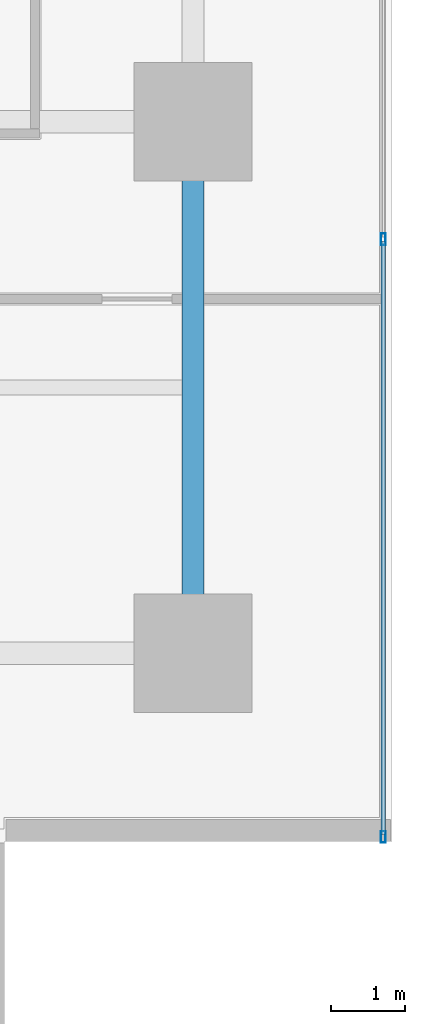
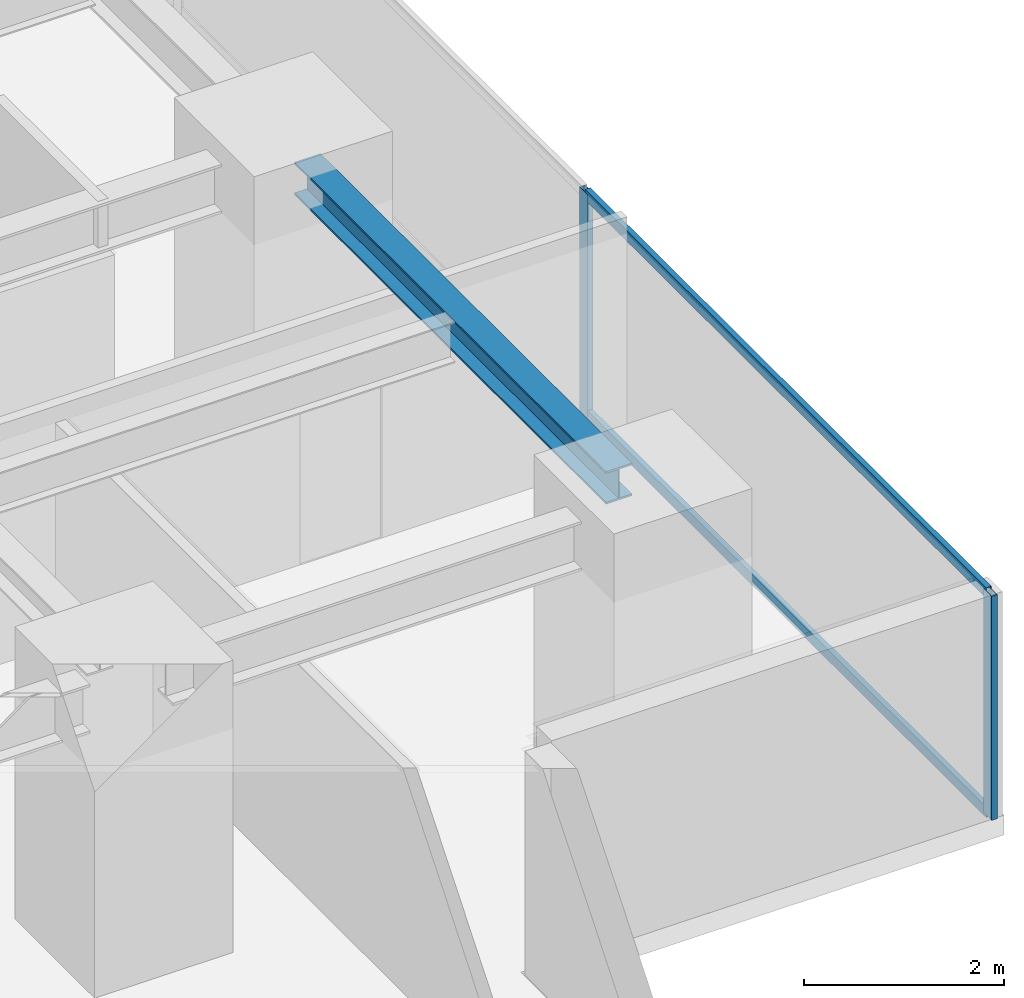
# One storey, part 14 of 37: 4 members, 1 beam, 1 element without a shape of its own.
"""IFC4 building model written with IfcOpenShell, lengths in metres."""

import ifcopenshell
import ifcopenshell.guid

model = None  # the IFC model being written
_history = None  # IfcOwnerHistory: only IFC2X3 demands one
_inside = {}  # id of a spatial element -> (the spatial element, [elements in it])
_under = {}  # id of a project, library or spatial element -> (it, [spatial elements below it])
_declared = {}  # id of a project -> (the project, [libraries it declares])
_typed = {}  # id of a type object -> (the type object, [elements of that type])
_made_of = {}  # id of a material, layer set ... -> (it, [elements and type objects made of it])


def new_model(schema):
    """Start an empty IFC model of exactly this schema.

    Asked for "IFC4X3", IfcOpenShell would pick the latest addendum, in which some entities
    have other attributes; the version numbers below select the first issue.
    IFC2X3 requires an IfcOwnerHistory on every rooted entity: one is made here for all.
    """
    global model, _history
    if schema == "IFC4X3":
        model = ifcopenshell.file(schema_version=(4, 3, 0, 0))
    else:
        model = ifcopenshell.file(schema=schema)
    _inside.clear()
    _under.clear()
    _declared.clear()
    _typed.clear()
    _made_of.clear()
    _history = None
    if model.schema == "IFC2X3":
        org = make("IfcOrganization", Name="unknown")
        user = make(
            "IfcPersonAndOrganization",
            ThePerson=make("IfcPerson", FamilyName="unknown"),
            TheOrganization=org,
        )
        app = make(
            "IfcApplication",
            ApplicationDeveloper=org,
            Version="unknown",
            ApplicationFullName="unknown",
            ApplicationIdentifier="unknown",
        )
        _history = make(
            "IfcOwnerHistory",
            OwningUser=user,
            OwningApplication=app,
            ChangeAction="ADDED",
            CreationDate=0,
        )
    return model


def make(cls, **values):
    """One entity of the class cls with the attributes given. An attribute that is None is left unset."""
    return model.create_entity(
        cls, **{name: value for name, value in values.items() if value is not None}
    )


def rooted(cls, **values):
    """An entity with a GlobalId (a new one), such as an element, a storey or a relation."""
    return make(cls, GlobalId=ifcopenshell.guid.new(), OwnerHistory=_history, **values)


def si_unit(unit_type, name, prefix=None):
    """IfcSIUnit, for example si_unit("LENGTHUNIT", "METRE", prefix="MILLI")."""
    return make("IfcSIUnit", UnitType=unit_type, Prefix=prefix, Name=name)


def assignment(units):
    """IfcUnitAssignment: the units of a project."""
    return None if units is None else make("IfcUnitAssignment", Units=units)


def point(xyz):
    """IfcCartesianPoint."""
    return None if xyz is None else make("IfcCartesianPoint", Coordinates=xyz)


def direction(xyz):
    """IfcDirection."""
    return None if xyz is None else make("IfcDirection", DirectionRatios=xyz)


def frame(location, z_axis=None, x_axis=None):
    """IfcAxis2Placement3D, a coordinate frame: its origin and axes. An axis left out is left unset."""
    return make(
        "IfcAxis2Placement3D",
        Location=point(location),
        Axis=direction(z_axis),
        RefDirection=direction(x_axis),
    )


def frame_2d(location, x_axis=None):
    """IfcAxis2Placement2D, a coordinate frame in the plane: its origin and x axis."""
    return make(
        "IfcAxis2Placement2D", Location=point(location), RefDirection=direction(x_axis)
    )


def origin():
    """The frame at (0, 0, 0) with its axes left unset."""
    return frame((0.0, 0.0, 0.0))


def origin_2d():
    """The frame at (0, 0) in the plane with its x axis left unset."""
    return frame_2d((0.0, 0.0))


def place(relative_to, where):
    """IfcLocalPlacement: puts the frame where relative to a parent placement (None: the world)."""
    return make(
        "IfcLocalPlacement", PlacementRelTo=relative_to, RelativePlacement=where
    )


def context(
    kind, dimensions, precision=None, world=None, true_north=None, identifier=None
):
    """IfcGeometricRepresentationContext, for example the 3D "Model" context."""
    return make(
        "IfcGeometricRepresentationContext",
        ContextIdentifier=identifier,
        ContextType=kind,
        CoordinateSpaceDimension=dimensions,
        Precision=precision,
        WorldCoordinateSystem=world,
        TrueNorth=true_north,
    )


def subcontext(parent, identifier, kind, view, scale=None):
    """IfcGeometricRepresentationSubContext, for example "Body" below "Model"."""
    return make(
        "IfcGeometricRepresentationSubContext",
        ContextIdentifier=identifier,
        ContextType=kind,
        ParentContext=parent,
        TargetScale=scale,
        TargetView=view,
    )


def project(units=None, contexts=None):
    """IfcProject with its units and contexts."""
    return rooted(
        "IfcProject",
        Name="project",
        RepresentationContexts=contexts,
        UnitsInContext=assignment(units),
    )


def spatial(cls, under=None, at=None, **own):
    """A site, building, storey or space (cls), placed at a placement, below another one or the project."""
    s = rooted(cls, ObjectPlacement=at, **own)
    if under is not None:
        _under.setdefault(under.id(), (under, []))[1].append(s)
    return s


def profile(cls, at=None, kind="AREA", **sizes):
    """A parametric profile (cls). Its sizes go by their IFC names, for example OverallWidth=200.0."""
    return make(cls, ProfileType=kind, Position=at, **sizes)


def hollow_rectangle(**sizes):
    """IfcRectangleHollowProfileDef."""
    return profile("IfcRectangleHollowProfileDef", **sizes)


def i_section(**sizes):
    """IfcIShapeProfileDef."""
    return profile("IfcIShapeProfileDef", **sizes)


def extrude(swept, where, along, depth):
    """IfcExtrudedAreaSolid: the profile swept, set in the frame where, extruded along a direction by depth."""
    return make(
        "IfcExtrudedAreaSolid",
        SweptArea=swept,
        Position=where,
        ExtrudedDirection=direction(along),
        Depth=depth,
    )


def shape(context_of_items, identifier, shape_type, items):
    """IfcShapeRepresentation: the items that make up one representation, for example the "Body"."""
    return make(
        "IfcShapeRepresentation",
        ContextOfItems=context_of_items,
        RepresentationIdentifier=identifier,
        RepresentationType=shape_type,
        Items=items,
    )


def source(mapping_origin, context_of_items, identifier, shape_type, items):
    """IfcRepresentationMap: a shape defined once, which mapped items show again and again."""
    return make(
        "IfcRepresentationMap",
        MappingOrigin=mapping_origin,
        MappedRepresentation=shape(context_of_items, identifier, shape_type, items),
    )


def transform(
    local_origin,
    x_axis=None,
    y_axis=None,
    z_axis=None,
    scale=None,
    scale2=None,
    scale3=None,
    uniform=True,
):
    """IfcCartesianTransformationOperator3D, or its non-uniform kind. x_axis, y_axis, z_axis: its Axis1, 2, 3."""
    if uniform:
        return make(
            "IfcCartesianTransformationOperator3D",
            Axis1=direction(x_axis),
            Axis2=direction(y_axis),
            LocalOrigin=point(local_origin),
            Scale=scale,
            Axis3=direction(z_axis),
        )
    return make(
        "IfcCartesianTransformationOperator3DnonUniform",
        Axis1=direction(x_axis),
        Axis2=direction(y_axis),
        LocalOrigin=point(local_origin),
        Scale=scale,
        Axis3=direction(z_axis),
        Scale2=scale2,
        Scale3=scale3,
    )


def mapped(mapping_source, mapping_target):
    """IfcMappedItem: shows the shape of a source again, moved by a transform."""
    return make(
        "IfcMappedItem", MappingSource=mapping_source, MappingTarget=mapping_target
    )


def material(Name=None, Category=None):
    """IfcMaterial."""
    return make("IfcMaterial", Name=Name, Category=Category)


def layer(
    of_material, thickness, ventilated=None, Name=None, Category=None, Priority=None
):
    """IfcMaterialLayer: one layer of a wall or slab, of a material (None: an air gap)."""
    return make(
        "IfcMaterialLayer",
        Material=of_material,
        LayerThickness=thickness,
        IsVentilated=ventilated,
        Name=Name,
        Category=Category,
        Priority=Priority,
    )


def layer_set(layers, Name=None):
    """IfcMaterialLayerSet."""
    return make("IfcMaterialLayerSet", MaterialLayers=layers, LayerSetName=Name)


def material_profile(
    of_material, cross_section, Name=None, Category=None, Priority=None
):
    """IfcMaterialProfile: a cross section and its material."""
    return make(
        "IfcMaterialProfile",
        Name=Name,
        Material=of_material,
        Profile=cross_section,
        Priority=Priority,
        Category=Category,
    )


def profile_set(profiles, Name=None, composite=None):
    """IfcMaterialProfileSet."""
    return make(
        "IfcMaterialProfileSet",
        Name=Name,
        MaterialProfiles=profiles,
        CompositeProfile=composite,
    )


def made_of(thing, what):
    """Note that an element or type object is made of a material, layer set ...; save() writes the relation."""
    if what is not None:
        _made_of.setdefault(what.id(), (what, []))[1].append(thing)
    return thing


def type_object(cls, material=None, **own):
    """A type object (cls), such as IfcWallType, which elements share."""
    return made_of(rooted(cls, **own), material)


def element(
    cls,
    number,
    at=None,
    inside=None,
    cuts=None,
    type_object=None,
    material=None,
    context=None,
    identifier="Body",
    shape_type=None,
    held_by="IfcProductDefinitionShape",
    body=None,
    shapes=None,
    **own,
):
    """One element of the class cls, such as IfcWall. Its Tag is "e" and its number.

    at: its placement. inside: the storey or other place that contains it. cuts: it is an
    opening in that element (IfcRelVoidsElement). A single representation is given by context,
    identifier, shape_type and body (its items); several are given by shapes. held_by: the class
    of the entity that holds the representations. save() writes the other relations.
    """
    e = rooted(cls, Tag="e%d" % number, ObjectPlacement=at, **own)
    if body is not None:
        shapes = [shape(context, identifier, shape_type, body)]
    if shapes is not None:
        e.Representation = make(held_by, Representations=shapes)
    if inside is not None:
        _inside.setdefault(inside.id(), (inside, []))[1].append(e)
    if cuts is not None:
        rooted(
            "IfcRelVoidsElement", RelatingBuildingElement=cuts, RelatedOpeningElement=e
        )
    if type_object is not None:
        _typed.setdefault(type_object.id(), (type_object, []))[1].append(e)
    return made_of(e, material)


def aggregate(whole, parts):
    """IfcRelAggregates: a whole, such as a stair, and the parts it consists of."""
    return rooted("IfcRelAggregates", RelatingObject=whole, RelatedObjects=parts)


def save(model, path):
    """Write the relations noted so far, then the file.

    IfcRelAggregates (storeys below a building ...), IfcRelContainedInSpatialStructure (elements
    in a storey), IfcRelDefinesByType, IfcRelAssociatesMaterial and IfcRelDeclares: one each for
    every whole, place, type object, material and project.
    """
    for whole, parts in _under.values():
        aggregate(whole, parts)
    for where, things in _inside.values():
        rooted(
            "IfcRelContainedInSpatialStructure",
            RelatedElements=things,
            RelatingStructure=where,
        )
    for kind, things in _typed.values():
        rooted("IfcRelDefinesByType", RelatedObjects=things, RelatingType=kind)
    for what, things in _made_of.values():
        rooted("IfcRelAssociatesMaterial", RelatedObjects=things, RelatingMaterial=what)
    for by, libraries in _declared.values():
        rooted("IfcRelDeclares", RelatingContext=by, RelatedDefinitions=libraries)
    model.write(path)


model = new_model("IFC4")

# Units and contexts
model_context = context("Model", 3, precision=1e-05, world=origin(), true_north=direction((0.0, 1.0)))
body_context = subcontext(model_context, "Body", "Model", "MODEL_VIEW")
ifc_project = project(units=[si_unit("LENGTHUNIT", "METRE"), si_unit("AREAUNIT", "SQUARE_METRE"), si_unit("VOLUMEUNIT", "CUBIC_METRE"), si_unit("PLANEANGLEUNIT", "RADIAN"), si_unit("MASSUNIT", "GRAM", prefix="KILO")], contexts=[model_context])

# Site, building, storey
site_placement = place(None, origin())
site = spatial("IfcSite", under=ifc_project, at=site_placement, CompositionType="ELEMENT")
building_placement = place(site_placement, origin())
building = spatial("IfcBuilding", under=site, at=building_placement, Name="Sumidabori Civic Tower", CompositionType="ELEMENT")
storey_placement = place(building_placement, frame((0.0, 0.0, 88.39990234375)))
storey = spatial("IfcBuildingStorey", under=building, at=storey_placement, Name="L22", CompositionType="ELEMENT", Elevation=88.39990234375)

# Beam
ifc_material_1 = material(Name="Steel SN490", Category="steel")
ifc_material_profile_1 = material_profile(ifc_material_1, i_section(OverallWidth=0.300048828125, OverallDepth=0.39990234375, WebThickness=0.013427734375, FlangeThickness=0.02392578125, at=origin_2d()), Name="HE 400 B")
ifc_profile_set_1 = profile_set([ifc_material_profile_1], Name="Steel SN490")
beam_type = type_object("IfcBeamType", Name="BM-GIRD-400", PredefinedType="BEAM", material=ifc_profile_set_1)
shared_shape_1 = source(origin(), body_context, "Body", "SweptSolid", [
    extrude(i_section(OverallWidth=0.300048828125, OverallDepth=0.39990234375, WebThickness=0.013427734375, FlangeThickness=0.02392578125, at=origin_2d()), origin(), (0.0, 0.0, 1.0), 6.239990234375),
])
beam_placement = place(storey_placement, frame((22.800048828125, -17.52001953125, 3.16015625), z_axis=(0.0, 1.0, 0.0), x_axis=(-1.0, 0.0, 0.0)))
element("IfcBeam", 1, at=beam_placement, inside=storey, type_object=beam_type, Name="Primary Girder L22 GY-39", PredefinedType="BEAM", context=body_context, shape_type="MappedRepresentation", body=[
    mapped(shared_shape_1, transform((0.0, 0.0, 0.0), x_axis=(1.0, 0.0, 0.0), y_axis=(0.0, 1.0, 0.0), z_axis=(0.0, 0.0, 1.0), scale=1.0)),
])

# Curtain wall, members
ifc_material_2 = material(Name="Anodised Bronze Aluminium AW-6063-T6", Category="aluminium")
ifc_layer = layer(ifc_material_2, 0.179931640625, Name="Anodised Bronze Aluminium AW-6063-T6")
ifc_layer_set = layer_set([ifc_layer], Name="Anodised Bronze Aluminium AW-6063-T6")
curtain_wall_type = type_object("IfcCurtainWallType", Name="CW-SYS-3", PredefinedType="NOTDEFINED", material=ifc_layer_set)
curtain_wall_placement = place(storey_placement, origin())
curtain_wall = element("IfcCurtainWall", 2, at=curtain_wall_placement, inside=storey, type_object=curtain_wall_type, Name="Curtain Wall CW:L22:R04", PredefinedType="NOTDEFINED")
ifc_material_profile_2 = material_profile(ifc_material_2, hollow_rectangle(XDim=0.06494140625, YDim=0.159912109375, WallThickness=0.0048828125, at=origin_2d()), Name="ALU MULLION 160x65")
ifc_profile_set_2 = profile_set([ifc_material_profile_2], Name="Anodised Bronze Aluminium AW-6063-T6")
member_type_1 = type_object("IfcMemberType", Name="CW-MUL-160", PredefinedType="MULLION", material=ifc_profile_set_2)
shared_shape_2 = source(origin(), body_context, "Body", "SweptSolid", [
    extrude(hollow_rectangle(XDim=0.06494140625, YDim=0.159912109375, WallThickness=0.0048828125, at=origin_2d()), origin(), (0.0, 0.0, 1.0), 2.739990234375),
])
member_1_placement = place(storey_placement, frame((25.3798828125, -20.487548828125, 0.0), z_axis=(0.0, 0.0, 1.0), x_axis=(-1.0, 0.0, 0.0)))
member_1 = element("IfcMember", 3, at=member_1_placement, type_object=member_type_1, Name="CW-3 mullion 1", PredefinedType="MULLION", context=body_context, shape_type="MappedRepresentation", body=[
    mapped(shared_shape_2, transform((0.0, 0.0, 0.0), x_axis=(1.0, 0.0, 0.0), y_axis=(0.0, 1.0, 0.0), z_axis=(0.0, 0.0, 1.0), scale=1.0)),
])
member_2_placement = place(storey_placement, frame((25.3798828125, -12.39208984375, 0.0), z_axis=(0.0, 0.0, 1.0), x_axis=(-1.0, 0.0, 0.0)))
member_2 = element("IfcMember", 4, at=member_2_placement, type_object=member_type_1, Name="CW-3 mullion 2", PredefinedType="MULLION", context=body_context, shape_type="MappedRepresentation", body=[
    mapped(shared_shape_2, transform((0.0, 0.0, 0.0), x_axis=(1.0, 0.0, 0.0), y_axis=(0.0, 1.0, 0.0), z_axis=(0.0, 0.0, 1.0), scale=1.0)),
])
ifc_material_profile_3 = material_profile(ifc_material_2, hollow_rectangle(XDim=0.06005859375, YDim=0.1298828125, WallThickness=0.0048828125, at=origin_2d()), Name="ALU TRANSOM 130x60")
ifc_profile_set_3 = profile_set([ifc_material_profile_3], Name="Anodised Bronze Aluminium AW-6063-T6")
member_type_2 = type_object("IfcMemberType", Name="CW-TRN-130", PredefinedType="USERDEFINED", material=ifc_profile_set_3)
shared_shape_3 = source(origin(), body_context, "Body", "SweptSolid", [
    extrude(hollow_rectangle(XDim=0.06005859375, YDim=0.1298828125, WallThickness=0.0048828125, at=origin_2d()), origin(), (0.0, 0.0, 1.0), 8.030517578125),
])
member_3_placement = place(storey_placement, frame((25.3798828125, -20.455078125, 0.030029296875), z_axis=(0.0, 1.0, 0.0), x_axis=(-1.0, 0.0, 0.0)))
member_3 = element("IfcMember", 5, at=member_3_placement, type_object=member_type_2, Name="CW-3 transom 1.1", ObjectType="TRANSOM", PredefinedType="USERDEFINED", context=body_context, shape_type="MappedRepresentation", body=[
    mapped(shared_shape_3, transform((0.0, 0.0, 0.0), x_axis=(1.0, 0.0, 0.0), y_axis=(0.0, 1.0, 0.0), z_axis=(0.0, 0.0, 1.0), scale=1.0)),
])
member_4_placement = place(storey_placement, frame((25.3798828125, -20.455078125, 2.710205078125), z_axis=(0.0, 1.0, 0.0), x_axis=(-1.0, 0.0, 0.0)))
member_4 = element("IfcMember", 6, at=member_4_placement, type_object=member_type_2, Name="CW-3 transom 1.2", ObjectType="TRANSOM", PredefinedType="USERDEFINED", context=body_context, shape_type="MappedRepresentation", body=[
    mapped(shared_shape_3, transform((0.0, 0.0, 0.0), x_axis=(1.0, 0.0, 0.0), y_axis=(0.0, 1.0, 0.0), z_axis=(0.0, 0.0, 1.0), scale=1.0)),
])
aggregate(curtain_wall, [member_1, member_2, member_3, member_4])

save(model, "model.ifc")
